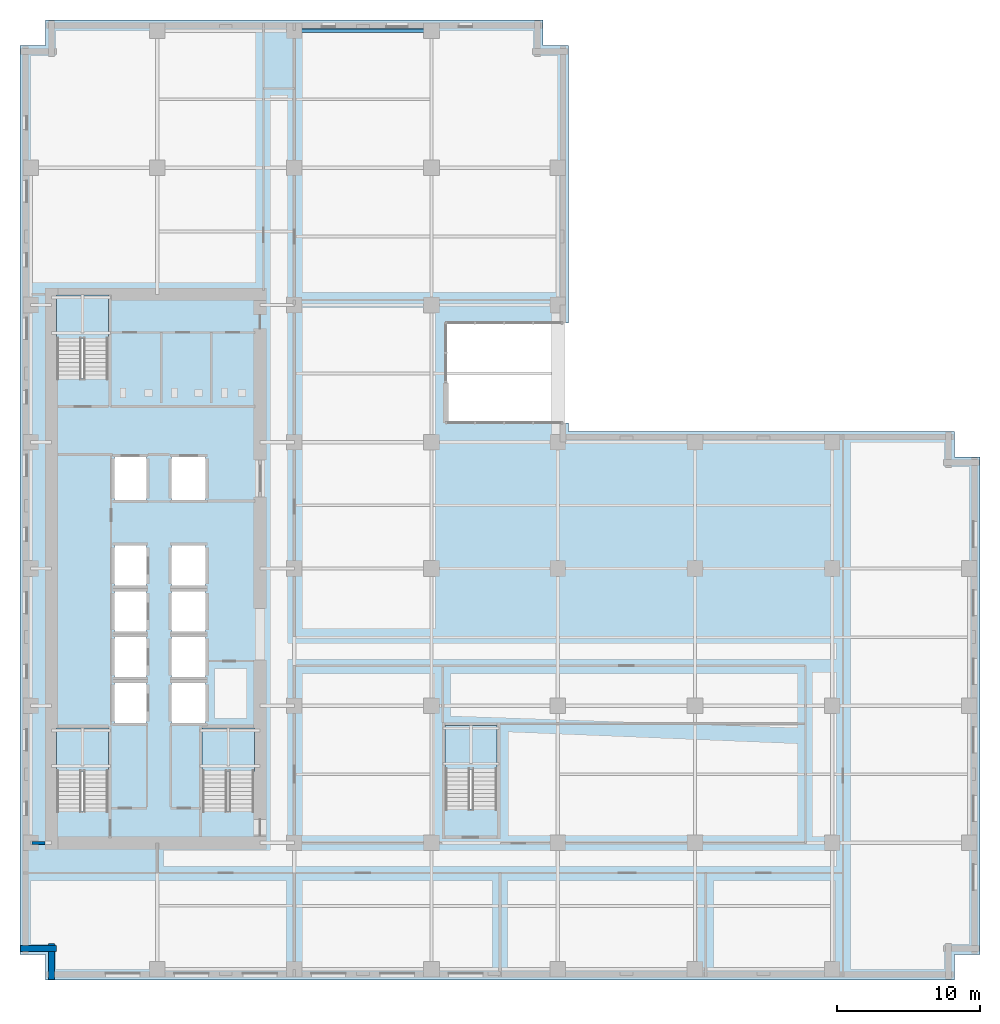
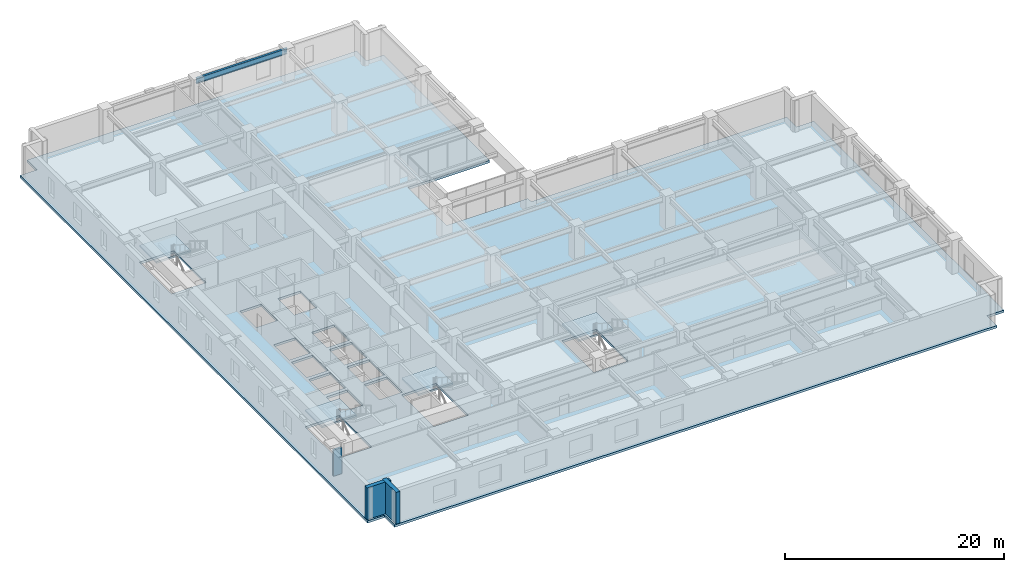
# One storey, part 3 of 14: 5 slabs, 3 walls, 1 beam, 4 elements without a shape of their own.
"""IFC4 building model written with IfcOpenShell, lengths in metres."""

from ifc_helpers import new_model, si_unit, direction, frame, frame_2d, origin, origin_2d, place, context, subcontext, project, spatial, polyline, rectangle, i_section, outline, extrude, material, layer, layer_set, material_profile, profile_set, type_object, element, aggregate, save


model = new_model("IFC4")

# Units and contexts
model_context = context("Model", 3, precision=1e-05, world=origin(), true_north=direction((0.0, 1.0)))
body_context = subcontext(model_context, "Body", "Model", "MODEL_VIEW")
ifc_project = project(units=[si_unit("LENGTHUNIT", "METRE"), si_unit("AREAUNIT", "SQUARE_METRE"), si_unit("VOLUMEUNIT", "CUBIC_METRE"), si_unit("PLANEANGLEUNIT", "RADIAN"), si_unit("MASSUNIT", "GRAM", prefix="KILO")], contexts=[model_context])

# Site, building, storey
site_placement = place(None, origin())
site = spatial("IfcSite", under=ifc_project, at=site_placement, CompositionType="ELEMENT")
building_placement = place(site_placement, origin())
building = spatial("IfcBuilding", under=site, at=building_placement, Name="Norrvale University Quadrangle", CompositionType="ELEMENT")
storey_placement = place(building_placement, frame((0.0, 0.0, 62.199951171875)))
storey = spatial("IfcBuildingStorey", under=building, at=storey_placement, Name="L15", CompositionType="ELEMENT", Elevation=62.199951171875)

# Beam
ifc_material_1 = material(Name="Steel 350W", Category="steel")
ifc_material_profile = material_profile(ifc_material_1, i_section(OverallWidth=0.22998046875, OverallDepth=0.616943359375, WebThickness=0.01318359375, FlangeThickness=0.022216796875, FilletRadius=0.01611328125, at=origin_2d()), Name="Steel 350W")
ifc_profile_set = profile_set([ifc_material_profile], Name="Steel 350W")
beam_type = type_object("IfcBeamType", Name="Beam Floor W610x140", PredefinedType="BEAM", material=ifc_profile_set)
beam_placement = place(storey_placement, frame((19.199951171875, 66.449951171875, 3.2314453125), z_axis=(1.0, 0.0, 0.0), x_axis=(0.0, 1.0, 0.0)))
element("IfcBeam", 1, at=beam_placement, inside=storey, type_object=beam_type, Name="Beam Floor W610x140 BM-L15-GX032", PredefinedType="BEAM", context=body_context, shape_type="SweptSolid", body=[
    extrude(i_section(OverallWidth=0.22998046875, OverallDepth=0.616943359375, WebThickness=0.01318359375, FlangeThickness=0.022216796875, FilletRadius=0.01611328125, at=origin_2d()), origin(), (0.0, 0.0, 1.0), 9.60009765625),
])

# Stair, slab
ifc_material_2 = material(Name="Concrete C40/50", Category="concrete")
stair_type = type_object("IfcStairType", Name="Stair Tower Typ 3800", PredefinedType="TWO_STRAIGHT_RUN_STAIR", material=ifc_material_2)
stair_1_placement = place(storey_placement, origin())
stair_1 = element("IfcStair", 2, at=stair_1_placement, inside=storey, type_object=stair_type, Name="Exit Stair ST-01 L15", PredefinedType="TWO_STRAIGHT_RUN_STAIR")
ifc_layer_1 = layer(ifc_material_2, 0.199951171875, Name="Concrete C40/50")
ifc_layer_set_1 = layer_set([ifc_layer_1], Name="Concrete C40/50")
slab_type_1 = type_object("IfcSlabType", Name="Slab Landing 200", PredefinedType="LANDING", material=ifc_layer_set_1)
slab_1_placement = place(storey_placement, frame((0.0, 0.0, 1.699951171875)))
slab_1 = element("IfcSlab", 3, at=slab_1_placement, type_object=slab_type_1, Name="Exit Stair ST-01 L15 Mid Landing", PredefinedType="LANDING", context=body_context, shape_type="SweptSolid", body=[
    extrude(outline(polyline([(2.550048828125, 14.590087890625), (6.199951171875, 14.590087890625), (6.199951171875, 17.64990234375), (2.550048828125, 17.64990234375), (2.550048828125, 14.590087890625)])), origin(), (0.0, 0.0, 1.0), 0.2001953125),
])
aggregate(stair_1, [slab_1])

stair_2_placement = place(storey_placement, origin())
stair_2 = element("IfcStair", 4, at=stair_2_placement, inside=storey, type_object=stair_type, Name="Exit Stair ST-02 L15", PredefinedType="TWO_STRAIGHT_RUN_STAIR")
slab_2_placement = place(storey_placement, frame((0.0, 0.0, 1.699951171875)))
slab_2 = element("IfcSlab", 5, at=slab_2_placement, type_object=slab_type_1, Name="Exit Stair ST-02 L15 Mid Landing", PredefinedType="LANDING", context=body_context, shape_type="SweptSolid", body=[
    extrude(outline(polyline([(2.550048828125, 44.889892578125), (6.199951171875, 44.889892578125), (6.199951171875, 47.949951171875), (2.550048828125, 47.949951171875), (2.550048828125, 44.889892578125)])), origin(), (0.0, 0.0, 1.0), 0.2001953125),
])
aggregate(stair_2, [slab_2])

stair_3_placement = place(storey_placement, origin())
stair_3 = element("IfcStair", 6, at=stair_3_placement, inside=storey, type_object=stair_type, Name="Exit Stair ST-03 L15", PredefinedType="TWO_STRAIGHT_RUN_STAIR")
slab_3_placement = place(storey_placement, frame((0.0, 0.0, 1.699951171875)))
slab_3 = element("IfcSlab", 7, at=slab_3_placement, type_object=slab_type_1, Name="Exit Stair ST-03 L15 Mid Landing", PredefinedType="LANDING", context=body_context, shape_type="SweptSolid", body=[
    extrude(outline(polyline([(12.75, 14.590087890625), (16.39990234375, 14.590087890625), (16.39990234375, 17.64990234375), (12.75, 17.64990234375), (12.75, 14.590087890625)])), origin(), (0.0, 0.0, 1.0), 0.2001953125),
])
aggregate(stair_3, [slab_3])

stair_4_placement = place(storey_placement, origin())
stair_4 = element("IfcStair", 8, at=stair_4_placement, inside=storey, type_object=stair_type, Name="Exit Stair ST-04 L15", PredefinedType="TWO_STRAIGHT_RUN_STAIR")
slab_4_placement = place(storey_placement, frame((0.0, 0.0, 1.699951171875)))
slab_4 = element("IfcSlab", 9, at=slab_4_placement, type_object=slab_type_1, Name="Exit Stair ST-04 L15 Mid Landing", PredefinedType="LANDING", context=body_context, shape_type="SweptSolid", body=[
    extrude(outline(polyline([(29.75, 14.739990234375), (33.39990234375, 14.739990234375), (33.39990234375, 17.800048828125), (29.75, 17.800048828125), (29.75, 14.739990234375)])), origin(), (0.0, 0.0, 1.0), 0.2001953125),
])
aggregate(stair_4, [slab_4])

# Slab
ifc_layer_2 = layer(ifc_material_2, 0.260009765625, Name="Concrete C40/50")
ifc_layer_set_2 = layer_set([ifc_layer_2], Name="Concrete C40/50")
slab_type_2 = type_object("IfcSlabType", Name="Slab Tower Typ 260", PredefinedType="FLOOR", material=ifc_layer_set_2)
slab_5_placement = place(storey_placement, frame((0.0, 0.0, -0.260009765625)))
element("IfcSlab", 10, at=slab_5_placement, inside=storey, type_object=slab_type_2, Name="Tower L15 Floor Slab", PredefinedType="FLOOR", context=body_context, shape_type="SweptSolid", body=[
    extrude(outline(polyline([(38.39990234375, 38.39990234375), (65.39990234375, 38.39990234375), (65.39990234375, 36.60009765625), (67.199951171875, 36.60009765625), (67.199951171875, 1.800048828125), (65.39990234375, 1.800048828125), (65.39990234375, 0.0), (1.800048828125, 0.0), (1.800048828125, 1.800048828125), (0.0, 1.800048828125), (0.0, 65.39990234375), (1.800048828125, 65.39990234375), (1.800048828125, 67.199951171875), (36.60009765625, 67.199951171875), (36.60009765625, 65.39990234375), (38.39990234375, 65.39990234375), (38.39990234375, 46.0), (29.800048828125, 46.0), (29.800048828125, 39.0), (38.39990234375, 39.0), (38.39990234375, 38.39990234375)]), holes=[polyline([(2.550048828125, 11.81005859375), (6.199951171875, 11.81005859375), (6.199951171875, 17.64990234375), (2.550048828125, 17.64990234375), (2.550048828125, 11.81005859375)]), polyline([(2.550048828125, 42.110107421875), (6.199951171875, 42.110107421875), (6.199951171875, 47.949951171875), (2.550048828125, 47.949951171875), (2.550048828125, 42.110107421875)]), polyline([(12.75, 11.81005859375), (16.39990234375, 11.81005859375), (16.39990234375, 17.64990234375), (12.75, 17.64990234375), (12.75, 11.81005859375)]), polyline([(29.75, 11.9599609375), (33.39990234375, 11.9599609375), (33.39990234375, 17.800048828125), (29.75, 17.800048828125), (29.75, 11.9599609375)]), polyline([(6.60009765625, 18.0), (8.85009765625, 18.0), (8.85009765625, 20.800048828125), (6.60009765625, 20.800048828125), (6.60009765625, 18.0)]), polyline([(6.60009765625, 21.199951171875), (8.85009765625, 21.199951171875), (8.85009765625, 24.0), (6.60009765625, 24.0), (6.60009765625, 21.199951171875)]), polyline([(6.60009765625, 24.39990234375), (8.85009765625, 24.39990234375), (8.85009765625, 27.199951171875), (6.60009765625, 27.199951171875), (6.60009765625, 24.39990234375)]), polyline([(6.60009765625, 27.60009765625), (8.85009765625, 27.60009765625), (8.85009765625, 30.39990234375), (6.60009765625, 30.39990234375), (6.60009765625, 27.60009765625)]), polyline([(10.60009765625, 18.0), (13.0, 18.0), (13.0, 20.800048828125), (10.60009765625, 20.800048828125), (10.60009765625, 18.0)]), polyline([(10.60009765625, 21.199951171875), (13.0, 21.199951171875), (13.0, 24.0), (10.60009765625, 24.0), (10.60009765625, 21.199951171875)]), polyline([(10.60009765625, 24.39990234375), (13.0, 24.39990234375), (13.0, 27.199951171875), (10.60009765625, 27.199951171875), (10.60009765625, 24.39990234375)]), polyline([(10.60009765625, 27.60009765625), (13.0, 27.60009765625), (13.0, 30.39990234375), (10.60009765625, 30.39990234375), (10.60009765625, 27.60009765625)]), polyline([(6.60009765625, 33.60009765625), (8.85009765625, 33.60009765625), (8.85009765625, 36.60009765625), (6.60009765625, 36.60009765625), (6.60009765625, 33.60009765625)]), polyline([(10.60009765625, 33.60009765625), (13.0, 33.60009765625), (13.0, 36.60009765625), (10.60009765625, 36.60009765625), (10.60009765625, 33.60009765625)])]), origin(), (0.0, 0.0, 1.0), 0.260009765625),
])

# Walls
ifc_material_3 = material(Name="Buff Norman Clay Brick Masonry", Category="masonry")
ifc_layer_3 = layer(ifc_material_3, 0.419921875, Name="Buff Norman Clay Brick Masonry")
ifc_layer_set_3 = layer_set([ifc_layer_3], Name="Buff Norman Clay Brick Masonry")
wall_type_1 = type_object("IfcWallType", Name="Wall Buff Brick 420", PredefinedType="SOLIDWALL", material=ifc_layer_set_3)
for number, where, z_axis, x_axis, name in (
    (11, (0.0400390625, 2.18994140625, 0.0), (0.0, 0.0, 1.0), (1.0, 0.0, 0.0), "Exterior Brick Facade Wall L15-15.1"),
    (12, (2.18994140625, 2.5400390625, 0.0), (0.0, 0.0, 1.0), (0.0, -1.0, 0.0), "Exterior Brick Facade Wall L15-16.1"),
):
    element("IfcWall", number, at=place(storey_placement, frame(where, z_axis=z_axis, x_axis=x_axis)), inside=storey, type_object=wall_type_1, Name=name, PredefinedType="SOLIDWALL", context=body_context, shape_type="SweptSolid", body=[
        extrude(rectangle(XDim=2.5, YDim=0.419921875, at=frame_2d((1.25, 0.0))), origin(), (0.0, 0.0, 1.0), 3.5400390625),
    ])
ifc_material_4 = material(Name="Concrete Blockwork 20 MPa Rated Wall", Category="masonry")
ifc_layer_4 = layer(ifc_material_4, 0.199951171875, Name="Concrete Blockwork 20 MPa Rated Wall")
ifc_layer_set_4 = layer_set([ifc_layer_4], Name="Concrete Blockwork 20 MPa Rated Wall")
wall_type_2 = type_object("IfcWallType", Name="Wall Lobby 200", PredefinedType="SOLIDWALL", material=ifc_layer_set_4)
wall_placement = place(storey_placement, frame((0.85009765625, 9.60009765625, 0.0), z_axis=(0.0, 0.0, 1.0), x_axis=(1.0, 0.0, 0.0)))
element("IfcWall", 13, at=wall_placement, inside=storey, type_object=wall_type_2, Name="Interior Partition WL-L15-CWRET-S", PredefinedType="SOLIDWALL", context=body_context, shape_type="SweptSolid", body=[
    extrude(rectangle(XDim=0.89501953125, YDim=0.199951171875, at=frame_2d((0.447509765625, 0.0))), origin(), (0.0, 0.0, 1.0), 2.923095703125),
])

save(model, "model.ifc")
